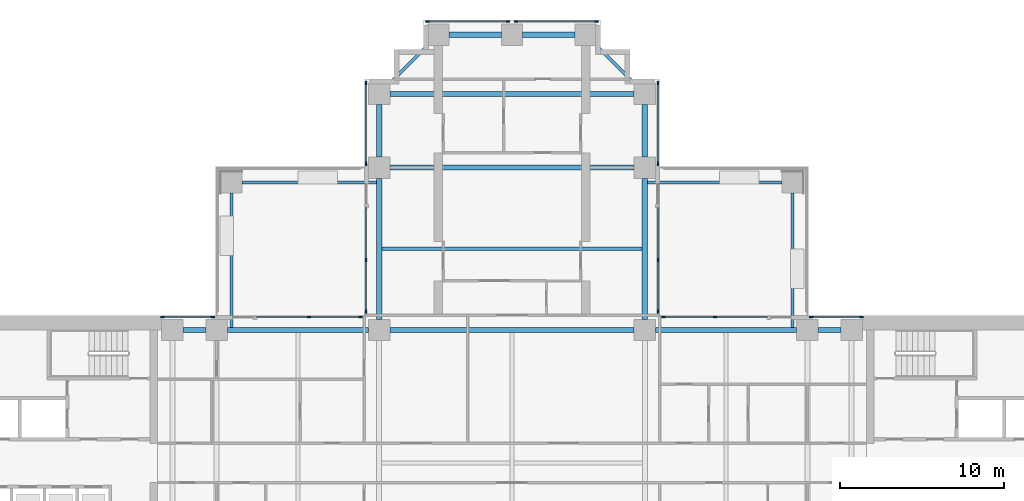
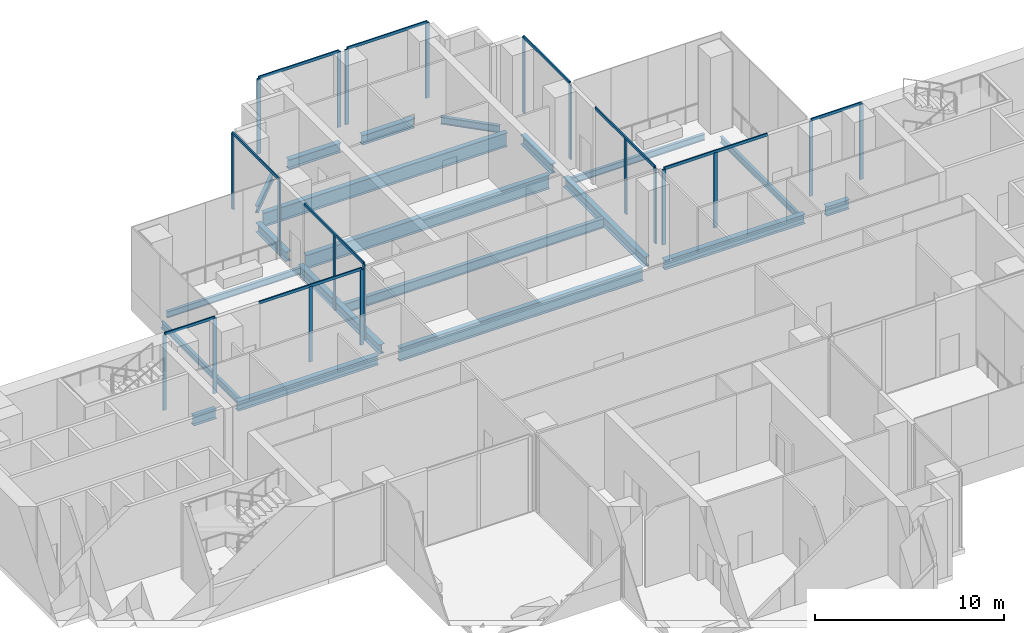
# One storey, part 4 of 17: 30 members, 20 beams, 10 elements without a shape of their own.
"""IFC4 building model written with IfcOpenShell, lengths in metres."""

from ifc_helpers import new_model, si_unit, direction, frame, origin, origin_2d, place, context, subcontext, project, spatial, rectangle, i_section, extrude, material, material_profile, profile_set, type_object, element, aggregate, save


model = new_model("IFC4")

# Units and contexts
model_context = context("Model", 3, precision=1e-05, world=origin(), true_north=direction((0.0, 1.0)))
body_context = subcontext(model_context, "Body", "Model", "MODEL_VIEW")
ifc_project = project(units=[si_unit("LENGTHUNIT", "METRE"), si_unit("AREAUNIT", "SQUARE_METRE"), si_unit("VOLUMEUNIT", "CUBIC_METRE"), si_unit("PLANEANGLEUNIT", "RADIAN"), si_unit("MASSUNIT", "GRAM", prefix="KILO")], contexts=[model_context])

# Site, building, storey
site_placement = place(None, origin())
site = spatial("IfcSite", under=ifc_project, at=site_placement, CompositionType="ELEMENT")
building_placement = place(site_placement, origin())
building = spatial("IfcBuilding", under=site, at=building_placement, Name="Perihelion Cross Residences", CompositionType="ELEMENT")
storey_placement = place(building_placement, frame((0.0, 0.0, 92.5)))
storey = spatial("IfcBuildingStorey", under=building, at=storey_placement, Name="L21", CompositionType="ELEMENT", Elevation=92.5)

# Curtain wall, members
ifc_material_1 = material(Name="Bronze anodised aluminium, tinted glazing", Category="aluminium")
curtain_wall_type = type_object("IfcCurtainWallType", Name="CW3", PredefinedType="NOTDEFINED", material=ifc_material_1)
curtain_wall_1_placement = place(storey_placement, origin())
curtain_wall_1 = element("IfcCurtainWall", 1, at=curtain_wall_1_placement, inside=storey, type_object=curtain_wall_type, Name="Curtain wall CW3 L21 east side north bay 1", PredefinedType="NOTDEFINED")
ifc_material_2 = material(Name="Bronze anodised aluminium", Category="aluminium")
ifc_material_profile_1 = material_profile(ifc_material_2, rectangle(XDim=0.080078125, YDim=0.219970703125, at=origin_2d()), Name="CW3 mullion")
ifc_profile_set_1 = profile_set([ifc_material_profile_1], Name="Bronze anodised aluminium")
member_type_1 = type_object("IfcMemberType", Name="CW3 mullion", PredefinedType="MULLION", material=ifc_profile_set_1)
member_1_placement = place(storey_placement, frame((21.31005859375, 8.89990234375, 0.0), z_axis=(0.0, 0.0, 1.0), x_axis=(0.0, -1.0, 0.0)))
member_1 = element("IfcMember", 2, at=member_1_placement, type_object=member_type_1, Name="CW3 mullion 1", PredefinedType="MULLION", context=body_context, shape_type="SweptSolid", body=[
    extrude(rectangle(XDim=0.080078125, YDim=0.219970703125, at=origin_2d()), origin(), (0.0, 0.0, 1.0), 4.8701171875),
])
member_2_placement = place(storey_placement, frame((18.239990234375, 8.89990234375, 0.0), z_axis=(0.0, 0.0, 1.0), x_axis=(0.0, -1.0, 0.0)))
member_2 = element("IfcMember", 3, at=member_2_placement, type_object=member_type_1, Name="CW3 mullion 2", PredefinedType="MULLION", context=body_context, shape_type="SweptSolid", body=[
    extrude(rectangle(XDim=0.080078125, YDim=0.219970703125, at=origin_2d()), origin(), (0.0, 0.0, 1.0), 4.8701171875),
])

curtain_wall_2_placement = place(storey_placement, origin())
curtain_wall_2 = element("IfcCurtainWall", 4, at=curtain_wall_2_placement, inside=storey, type_object=curtain_wall_type, Name="Curtain wall CW3 L21 east side north bay 2", PredefinedType="NOTDEFINED")
member_3_placement = place(storey_placement, frame((12.375, 8.89990234375, 0.0), z_axis=(0.0, 0.0, 1.0), x_axis=(0.0, -1.0, 0.0)))
member_3 = element("IfcMember", 5, at=member_3_placement, type_object=member_type_1, Name="CW3 mullion 2", PredefinedType="MULLION", context=body_context, shape_type="SweptSolid", body=[
    extrude(rectangle(XDim=0.080078125, YDim=0.219970703125, at=origin_2d()), origin(), (0.0, 0.0, 1.0), 4.8701171875),
])
member_4_placement = place(storey_placement, frame((9.239990234375, 8.89990234375, 0.0), z_axis=(0.0, 0.0, 1.0), x_axis=(0.0, -1.0, 0.0)))
member_4 = element("IfcMember", 6, at=member_4_placement, type_object=member_type_1, Name="CW3 mullion 3", PredefinedType="MULLION", context=body_context, shape_type="SweptSolid", body=[
    extrude(rectangle(XDim=0.080078125, YDim=0.219970703125, at=origin_2d()), origin(), (0.0, 0.0, 1.0), 4.8701171875),
])

curtain_wall_3_placement = place(storey_placement, origin())
curtain_wall_3 = element("IfcCurtainWall", 7, at=curtain_wall_3_placement, inside=storey, type_object=curtain_wall_type, Name="Curtain wall CW3 L21 north side east bay 1", PredefinedType="NOTDEFINED")
member_5_placement = place(storey_placement, frame((8.89990234375, 9.239990234375, 0.0), z_axis=(0.0, 0.0, 1.0), x_axis=(-1.0, 0.0, 0.0)))
member_5 = element("IfcMember", 8, at=member_5_placement, type_object=member_type_1, Name="CW3 mullion 1", PredefinedType="MULLION", context=body_context, shape_type="SweptSolid", body=[
    extrude(rectangle(XDim=0.080078125, YDim=0.219970703125, at=origin_2d()), origin(), (0.0, 0.0, 1.0), 4.8701171875),
])
member_6_placement = place(storey_placement, frame((8.89990234375, 12.375, 0.0), z_axis=(0.0, 0.0, 1.0), x_axis=(-1.0, 0.0, 0.0)))
member_6 = element("IfcMember", 9, at=member_6_placement, type_object=member_type_1, Name="CW3 mullion 2", PredefinedType="MULLION", context=body_context, shape_type="SweptSolid", body=[
    extrude(rectangle(XDim=0.080078125, YDim=0.219970703125, at=origin_2d()), origin(), (0.0, 0.0, 1.0), 4.8701171875),
])

curtain_wall_4_placement = place(storey_placement, origin())
curtain_wall_4 = element("IfcCurtainWall", 10, at=curtain_wall_4_placement, inside=storey, type_object=curtain_wall_type, Name="Curtain wall CW3 L21 north side east bay 2", PredefinedType="NOTDEFINED")
member_7_placement = place(storey_placement, frame((8.89990234375, 18.239990234375, 0.0), z_axis=(0.0, 0.0, 1.0), x_axis=(-1.0, 0.0, 0.0)))
member_7 = element("IfcMember", 11, at=member_7_placement, type_object=member_type_1, Name="CW3 mullion 1", PredefinedType="MULLION", context=body_context, shape_type="SweptSolid", body=[
    extrude(rectangle(XDim=0.080078125, YDim=0.219970703125, at=origin_2d()), origin(), (0.0, 0.0, 1.0), 4.8701171875),
])
member_8_placement = place(storey_placement, frame((8.89990234375, 23.159912109375, 0.0), z_axis=(0.0, 0.0, 1.0), x_axis=(-1.0, 0.0, 0.0)))
member_8 = element("IfcMember", 12, at=member_8_placement, type_object=member_type_1, Name="CW3 mullion 2", PredefinedType="MULLION", context=body_context, shape_type="SweptSolid", body=[
    extrude(rectangle(XDim=0.080078125, YDim=0.219970703125, at=origin_2d()), origin(), (0.0, 0.0, 1.0), 4.8701171875),
])

curtain_wall_5_placement = place(storey_placement, origin())
curtain_wall_5 = element("IfcCurtainWall", 13, at=curtain_wall_5_placement, inside=storey, type_object=curtain_wall_type, Name="Curtain wall CW3 L21 north tip north bay 1", PredefinedType="NOTDEFINED")
member_9_placement = place(storey_placement, frame((5.159912109375, 26.89990234375, 0.0), z_axis=(0.0, 0.0, 1.0), x_axis=(0.0, -1.0, 0.0)))
member_9 = element("IfcMember", 14, at=member_9_placement, type_object=member_type_1, Name="CW3 mullion 1", PredefinedType="MULLION", context=body_context, shape_type="SweptSolid", body=[
    extrude(rectangle(XDim=0.080078125, YDim=0.219970703125, at=origin_2d()), origin(), (0.0, 0.0, 1.0), 4.8701171875),
])
member_10_placement = place(storey_placement, frame((0.239990234375, 26.89990234375, 0.0), z_axis=(0.0, 0.0, 1.0), x_axis=(0.0, -1.0, 0.0)))
member_10 = element("IfcMember", 15, at=member_10_placement, type_object=member_type_1, Name="CW3 mullion 2", PredefinedType="MULLION", context=body_context, shape_type="SweptSolid", body=[
    extrude(rectangle(XDim=0.080078125, YDim=0.219970703125, at=origin_2d()), origin(), (0.0, 0.0, 1.0), 4.8701171875),
])

curtain_wall_6_placement = place(storey_placement, origin())
curtain_wall_6 = element("IfcCurtainWall", 16, at=curtain_wall_6_placement, inside=storey, type_object=curtain_wall_type, Name="Curtain wall CW3 L21 north tip north bay 2", PredefinedType="NOTDEFINED")
member_11_placement = place(storey_placement, frame((-0.239990234375, 26.89990234375, 0.0), z_axis=(0.0, 0.0, 1.0), x_axis=(0.0, -1.0, 0.0)))
member_11 = element("IfcMember", 17, at=member_11_placement, type_object=member_type_1, Name="CW3 mullion 1", PredefinedType="MULLION", context=body_context, shape_type="SweptSolid", body=[
    extrude(rectangle(XDim=0.080078125, YDim=0.219970703125, at=origin_2d()), origin(), (0.0, 0.0, 1.0), 4.8701171875),
])
member_12_placement = place(storey_placement, frame((-5.159912109375, 26.89990234375, 0.0), z_axis=(0.0, 0.0, 1.0), x_axis=(0.0, -1.0, 0.0)))
member_12 = element("IfcMember", 18, at=member_12_placement, type_object=member_type_1, Name="CW3 mullion 2", PredefinedType="MULLION", context=body_context, shape_type="SweptSolid", body=[
    extrude(rectangle(XDim=0.080078125, YDim=0.219970703125, at=origin_2d()), origin(), (0.0, 0.0, 1.0), 4.8701171875),
])

curtain_wall_7_placement = place(storey_placement, origin())
curtain_wall_7 = element("IfcCurtainWall", 19, at=curtain_wall_7_placement, inside=storey, type_object=curtain_wall_type, Name="Curtain wall CW3 L21 north side west bay 1", PredefinedType="NOTDEFINED")
member_13_placement = place(storey_placement, frame((-8.89990234375, 23.159912109375, 0.0), z_axis=(0.0, 0.0, 1.0), x_axis=(1.0, 0.0, 0.0)))
member_13 = element("IfcMember", 20, at=member_13_placement, type_object=member_type_1, Name="CW3 mullion 1", PredefinedType="MULLION", context=body_context, shape_type="SweptSolid", body=[
    extrude(rectangle(XDim=0.080078125, YDim=0.219970703125, at=origin_2d()), origin(), (0.0, 0.0, 1.0), 4.8701171875),
])
member_14_placement = place(storey_placement, frame((-8.89990234375, 18.239990234375, 0.0), z_axis=(0.0, 0.0, 1.0), x_axis=(1.0, 0.0, 0.0)))
member_14 = element("IfcMember", 21, at=member_14_placement, type_object=member_type_1, Name="CW3 mullion 2", PredefinedType="MULLION", context=body_context, shape_type="SweptSolid", body=[
    extrude(rectangle(XDim=0.080078125, YDim=0.219970703125, at=origin_2d()), origin(), (0.0, 0.0, 1.0), 4.8701171875),
])

curtain_wall_8_placement = place(storey_placement, origin())
curtain_wall_8 = element("IfcCurtainWall", 22, at=curtain_wall_8_placement, inside=storey, type_object=curtain_wall_type, Name="Curtain wall CW3 L21 north side west bay 2", PredefinedType="NOTDEFINED")
member_15_placement = place(storey_placement, frame((-8.89990234375, 12.375, 0.0), z_axis=(0.0, 0.0, 1.0), x_axis=(1.0, 0.0, 0.0)))
member_15 = element("IfcMember", 23, at=member_15_placement, type_object=member_type_1, Name="CW3 mullion 2", PredefinedType="MULLION", context=body_context, shape_type="SweptSolid", body=[
    extrude(rectangle(XDim=0.080078125, YDim=0.219970703125, at=origin_2d()), origin(), (0.0, 0.0, 1.0), 4.8701171875),
])
member_16_placement = place(storey_placement, frame((-8.89990234375, 9.239990234375, 0.0), z_axis=(0.0, 0.0, 1.0), x_axis=(1.0, 0.0, 0.0)))
member_16 = element("IfcMember", 24, at=member_16_placement, type_object=member_type_1, Name="CW3 mullion 3", PredefinedType="MULLION", context=body_context, shape_type="SweptSolid", body=[
    extrude(rectangle(XDim=0.080078125, YDim=0.219970703125, at=origin_2d()), origin(), (0.0, 0.0, 1.0), 4.8701171875),
])

curtain_wall_9_placement = place(storey_placement, origin())
curtain_wall_9 = element("IfcCurtainWall", 25, at=curtain_wall_9_placement, inside=storey, type_object=curtain_wall_type, Name="Curtain wall CW3 L21 west side north bay 1", PredefinedType="NOTDEFINED")
member_17_placement = place(storey_placement, frame((-9.239990234375, 8.89990234375, 0.0), z_axis=(0.0, 0.0, 1.0), x_axis=(0.0, -1.0, 0.0)))
member_17 = element("IfcMember", 26, at=member_17_placement, type_object=member_type_1, Name="CW3 mullion 1", PredefinedType="MULLION", context=body_context, shape_type="SweptSolid", body=[
    extrude(rectangle(XDim=0.080078125, YDim=0.219970703125, at=origin_2d()), origin(), (0.0, 0.0, 1.0), 4.8701171875),
])
member_18_placement = place(storey_placement, frame((-12.375, 8.89990234375, 0.0), z_axis=(0.0, 0.0, 1.0), x_axis=(0.0, -1.0, 0.0)))
member_18 = element("IfcMember", 27, at=member_18_placement, type_object=member_type_1, Name="CW3 mullion 2", PredefinedType="MULLION", context=body_context, shape_type="SweptSolid", body=[
    extrude(rectangle(XDim=0.080078125, YDim=0.219970703125, at=origin_2d()), origin(), (0.0, 0.0, 1.0), 4.8701171875),
])

curtain_wall_10_placement = place(storey_placement, origin())
curtain_wall_10 = element("IfcCurtainWall", 28, at=curtain_wall_10_placement, inside=storey, type_object=curtain_wall_type, Name="Curtain wall CW3 L21 west side north bay 2", PredefinedType="NOTDEFINED")
member_19_placement = place(storey_placement, frame((-18.239990234375, 8.89990234375, 0.0), z_axis=(0.0, 0.0, 1.0), x_axis=(0.0, -1.0, 0.0)))
member_19 = element("IfcMember", 29, at=member_19_placement, type_object=member_type_1, Name="CW3 mullion 1", PredefinedType="MULLION", context=body_context, shape_type="SweptSolid", body=[
    extrude(rectangle(XDim=0.080078125, YDim=0.219970703125, at=origin_2d()), origin(), (0.0, 0.0, 1.0), 4.8701171875),
])
member_20_placement = place(storey_placement, frame((-21.31005859375, 8.89990234375, 0.0), z_axis=(0.0, 0.0, 1.0), x_axis=(0.0, -1.0, 0.0)))
member_20 = element("IfcMember", 30, at=member_20_placement, type_object=member_type_1, Name="CW3 mullion 2", PredefinedType="MULLION", context=body_context, shape_type="SweptSolid", body=[
    extrude(rectangle(XDim=0.080078125, YDim=0.219970703125, at=origin_2d()), origin(), (0.0, 0.0, 1.0), 4.8701171875),
])

# Member
ifc_material_3 = material(Name="Bronze anodised aluminium", Category="aluminium")
ifc_material_profile_2 = material_profile(ifc_material_3, rectangle(XDim=0.080078125, YDim=0.179931640625, at=origin_2d()), Name="CW3 transom")
ifc_profile_set_2 = profile_set([ifc_material_profile_2], Name="Bronze anodised aluminium")
member_type_2 = type_object("IfcMemberType", Name="CW3 transom", PredefinedType="USERDEFINED", material=ifc_profile_set_2)
member_21_placement = place(storey_placement, frame((21.31005859375, 8.89990234375, 4.909912109375), z_axis=(-1.0, 0.0, 0.0), x_axis=(0.0, -1.0, 0.0)))
member_21 = element("IfcMember", 31, at=member_21_placement, type_object=member_type_2, Name="CW3 head transom", ObjectType="TRANSOM", PredefinedType="USERDEFINED", context=body_context, shape_type="SweptSolid", body=[
    extrude(rectangle(XDim=0.080078125, YDim=0.179931640625, at=origin_2d()), origin(), (0.0, 0.0, 1.0), 3.070068359375),
])

aggregate(curtain_wall_1, [member_1, member_2, member_21])

member_22_placement = place(storey_placement, frame((15.550048828125, 8.89990234375, 4.909912109375), z_axis=(-1.0, 0.0, 0.0), x_axis=(0.0, -1.0, 0.0)))
member_22 = element("IfcMember", 32, at=member_22_placement, type_object=member_type_2, Name="CW3 head transom", ObjectType="TRANSOM", PredefinedType="USERDEFINED", context=body_context, shape_type="SweptSolid", body=[
    extrude(rectangle(XDim=0.080078125, YDim=0.179931640625, at=origin_2d()), origin(), (0.0, 0.0, 1.0), 6.31005859375),
])

aggregate(curtain_wall_2, [member_3, member_4, member_22])

member_23_placement = place(storey_placement, frame((8.89990234375, 9.239990234375, 4.909912109375), z_axis=(0.0, 1.0, 0.0), x_axis=(-1.0, 0.0, 0.0)))
member_23 = element("IfcMember", 33, at=member_23_placement, type_object=member_type_2, Name="CW3 head transom", ObjectType="TRANSOM", PredefinedType="USERDEFINED", context=body_context, shape_type="SweptSolid", body=[
    extrude(rectangle(XDim=0.080078125, YDim=0.179931640625, at=origin_2d()), origin(), (0.0, 0.0, 1.0), 6.31005859375),
])

aggregate(curtain_wall_3, [member_5, member_6, member_23])

member_24_placement = place(storey_placement, frame((8.89990234375, 18.239990234375, 4.909912109375), z_axis=(0.0, 1.0, 0.0), x_axis=(-1.0, 0.0, 0.0)))
member_24 = element("IfcMember", 34, at=member_24_placement, type_object=member_type_2, Name="CW3 head transom", ObjectType="TRANSOM", PredefinedType="USERDEFINED", context=body_context, shape_type="SweptSolid", body=[
    extrude(rectangle(XDim=0.080078125, YDim=0.179931640625, at=origin_2d()), origin(), (0.0, 0.0, 1.0), 4.919921875),
])

aggregate(curtain_wall_4, [member_7, member_8, member_24])

member_25_placement = place(storey_placement, frame((5.159912109375, 26.89990234375, 4.909912109375), z_axis=(-1.0, 0.0, 0.0), x_axis=(0.0, -1.0, 0.0)))
member_25 = element("IfcMember", 35, at=member_25_placement, type_object=member_type_2, Name="CW3 head transom", ObjectType="TRANSOM", PredefinedType="USERDEFINED", context=body_context, shape_type="SweptSolid", body=[
    extrude(rectangle(XDim=0.080078125, YDim=0.179931640625, at=origin_2d()), origin(), (0.0, 0.0, 1.0), 4.919921875),
])

aggregate(curtain_wall_5, [member_9, member_10, member_25])

member_26_placement = place(storey_placement, frame((-0.239990234375, 26.89990234375, 4.909912109375), z_axis=(-1.0, 0.0, 0.0), x_axis=(0.0, -1.0, 0.0)))
member_26 = element("IfcMember", 36, at=member_26_placement, type_object=member_type_2, Name="CW3 head transom", ObjectType="TRANSOM", PredefinedType="USERDEFINED", context=body_context, shape_type="SweptSolid", body=[
    extrude(rectangle(XDim=0.080078125, YDim=0.179931640625, at=origin_2d()), origin(), (0.0, 0.0, 1.0), 4.919921875),
])

aggregate(curtain_wall_6, [member_11, member_12, member_26])

member_27_placement = place(storey_placement, frame((-8.89990234375, 23.159912109375, 4.909912109375), z_axis=(0.0, -1.0, 0.0), x_axis=(1.0, 0.0, 0.0)))
member_27 = element("IfcMember", 37, at=member_27_placement, type_object=member_type_2, Name="CW3 head transom", ObjectType="TRANSOM", PredefinedType="USERDEFINED", context=body_context, shape_type="SweptSolid", body=[
    extrude(rectangle(XDim=0.080078125, YDim=0.179931640625, at=origin_2d()), origin(), (0.0, 0.0, 1.0), 4.919921875),
])

aggregate(curtain_wall_7, [member_13, member_14, member_27])

member_28_placement = place(storey_placement, frame((-8.89990234375, 15.550048828125, 4.909912109375), z_axis=(0.0, -1.0, 0.0), x_axis=(1.0, 0.0, 0.0)))
member_28 = element("IfcMember", 38, at=member_28_placement, type_object=member_type_2, Name="CW3 head transom", ObjectType="TRANSOM", PredefinedType="USERDEFINED", context=body_context, shape_type="SweptSolid", body=[
    extrude(rectangle(XDim=0.080078125, YDim=0.179931640625, at=origin_2d()), origin(), (0.0, 0.0, 1.0), 6.31005859375),
])

aggregate(curtain_wall_8, [member_15, member_16, member_28])

member_29_placement = place(storey_placement, frame((-9.239990234375, 8.89990234375, 4.909912109375), z_axis=(-1.0, 0.0, 0.0), x_axis=(0.0, -1.0, 0.0)))
member_29 = element("IfcMember", 39, at=member_29_placement, type_object=member_type_2, Name="CW3 head transom", ObjectType="TRANSOM", PredefinedType="USERDEFINED", context=body_context, shape_type="SweptSolid", body=[
    extrude(rectangle(XDim=0.080078125, YDim=0.179931640625, at=origin_2d()), origin(), (0.0, 0.0, 1.0), 6.31005859375),
])

aggregate(curtain_wall_9, [member_17, member_18, member_29])

member_30_placement = place(storey_placement, frame((-18.239990234375, 8.89990234375, 4.909912109375), z_axis=(-1.0, 0.0, 0.0), x_axis=(0.0, -1.0, 0.0)))
member_30 = element("IfcMember", 40, at=member_30_placement, type_object=member_type_2, Name="CW3 head transom", ObjectType="TRANSOM", PredefinedType="USERDEFINED", context=body_context, shape_type="SweptSolid", body=[
    extrude(rectangle(XDim=0.080078125, YDim=0.179931640625, at=origin_2d()), origin(), (0.0, 0.0, 1.0), 3.070068359375),
])

aggregate(curtain_wall_10, [member_19, member_20, member_30])

# Beams
ifc_material_4 = material(Name="Steel S355", Category="steel")
ifc_material_profile_3 = material_profile(ifc_material_4, i_section(OverallWidth=0.177978515625, OverallDepth=0.406005859375, WebThickness=0.0078125, FlangeThickness=0.0126953125, at=origin_2d()), Name="W410x60")
ifc_profile_set_3 = profile_set([ifc_material_profile_3], Name="Steel S355")
beam_type_1 = type_object("IfcBeamType", Name="Core edge beam W410x60", PredefinedType="BEAM", material=ifc_profile_set_3)
for number, where, z_axis, x_axis, name in (
    (41, (17.10009765625, 8.262451171875, -0.5029296875), (0.0, 1.0, 0.0), (-1.0, 0.0, 0.0), "Core edge beam TB2 L21 corner no. 7"),
    (42, (8.262451171875, 17.10009765625, -0.5029296875), (1.0, 0.0, 0.0), (0.0, 1.0, 0.0), "Core edge beam TB2 L21 corner no. 8"),
    (43, (-17.10009765625, 8.262451171875, -0.5029296875), (0.0, 1.0, 0.0), (-1.0, 0.0, 0.0), "Core edge beam TB2 L21 corner no. 3"),
    (44, (-8.262451171875, 17.10009765625, -0.5029296875), (-1.0, 0.0, 0.0), (0.0, -1.0, 0.0), "Core edge beam TB2 L21 corner no. 4"),
):
    element("IfcBeam", number, at=place(storey_placement, frame(where, z_axis=z_axis, x_axis=x_axis)), inside=storey, type_object=beam_type_1, Name=name, PredefinedType="BEAM", context=body_context, shape_type="SweptSolid", body=[
        extrude(i_section(OverallWidth=0.177978515625, OverallDepth=0.406005859375, WebThickness=0.0078125, FlangeThickness=0.0126953125, at=origin_2d()), origin(), (0.0, 0.0, 1.0), 8.1875),
    ])
ifc_material_5 = material(Name="Steel S355", Category="steel")
ifc_material_profile_4 = material_profile(ifc_material_5, i_section(OverallWidth=0.324951171875, OverallDepth=0.616943359375, WebThickness=0.013916015625, FlangeThickness=0.021484375, at=origin_2d()), Name="W610x174")
ifc_profile_set_4 = profile_set([ifc_material_profile_4], Name="Steel S355")
beam_type_2 = type_object("IfcBeamType", Name="Edge beam W610x174", PredefinedType="SPANDREL", material=ifc_profile_set_4)
beam_1_placement = place(storey_placement, frame((20.050048828125, 8.10009765625, -0.6083984375), z_axis=(-1.0, 0.0, 0.0), x_axis=(0.0, -1.0, 0.0)))
element("IfcBeam", 45, at=beam_1_placement, inside=storey, type_object=beam_type_2, Name="Edge beam SB2 L21 no. 14", PredefinedType="SPANDREL", context=body_context, shape_type="SweptSolid", body=[
    extrude(i_section(OverallWidth=0.324951171875, OverallDepth=0.616943359375, WebThickness=0.013916015625, FlangeThickness=0.021484375, at=origin_2d()), origin(), (0.0, 0.0, 1.0), 1.400146484375),
])
for number, where, z_axis, x_axis, name in (
    (46, (17.35009765625, 8.10009765625, -0.6083984375), (-1.0, 0.0, 0.0), (0.0, -1.0, 0.0), "Edge beam SB2 L21 no. 13"),
    (47, (8.10009765625, 8.75, -0.6083984375), (0.0, 1.0, 0.0), (-1.0, 0.0, 0.0), "Edge beam SB2 L21 no. 20"),
):
    element("IfcBeam", number, at=place(storey_placement, frame(where, z_axis=z_axis, x_axis=x_axis)), inside=storey, type_object=beam_type_2, Name=name, PredefinedType="SPANDREL", context=body_context, shape_type="SweptSolid", body=[
        extrude(i_section(OverallWidth=0.324951171875, OverallDepth=0.616943359375, WebThickness=0.013916015625, FlangeThickness=0.021484375, at=origin_2d()), origin(), (0.0, 0.0, 1.0), 8.60009765625),
    ])
for number, where, z_axis, x_axis, name in (
    (48, (8.10009765625, 18.64990234375, -0.6083984375), (0.0, 1.0, 0.0), (-1.0, 0.0, 0.0), "Edge beam SB2 L21 no. 19"),
    (49, (3.85009765625, 26.10009765625, -0.6083984375), (-1.0, 0.0, 0.0), (0.0, -1.0, 0.0), "Edge beam SB2 L21 no. 15"),
    (50, (-0.64990234375, 26.10009765625, -0.6083984375), (-1.0, 0.0, 0.0), (0.0, -1.0, 0.0), "Edge beam SB2 L21 no. 11"),
    (51, (-8.10009765625, 21.85009765625, -0.6083984375), (0.0, -1.0, 0.0), (1.0, 0.0, 0.0), "Edge beam SB2 L21 no. 8"),
):
    element("IfcBeam", number, at=place(storey_placement, frame(where, z_axis=z_axis, x_axis=x_axis)), inside=storey, type_object=beam_type_2, Name=name, PredefinedType="SPANDREL", context=body_context, shape_type="SweptSolid", body=[
        extrude(i_section(OverallWidth=0.324951171875, OverallDepth=0.616943359375, WebThickness=0.013916015625, FlangeThickness=0.021484375, at=origin_2d()), origin(), (0.0, 0.0, 1.0), 3.2001953125),
    ])
for number, where, z_axis, x_axis, name in (
    (52, (-8.10009765625, 17.35009765625, -0.6083984375), (0.0, -1.0, 0.0), (1.0, 0.0, 0.0), "Edge beam SB2 L21 no. 7"),
    (53, (-8.75, 8.10009765625, -0.6083984375), (-1.0, 0.0, 0.0), (0.0, -1.0, 0.0), "Edge beam SB2 L21 no. 9"),
):
    element("IfcBeam", number, at=place(storey_placement, frame(where, z_axis=z_axis, x_axis=x_axis)), inside=storey, type_object=beam_type_2, Name=name, PredefinedType="SPANDREL", context=body_context, shape_type="SweptSolid", body=[
        extrude(i_section(OverallWidth=0.324951171875, OverallDepth=0.616943359375, WebThickness=0.013916015625, FlangeThickness=0.021484375, at=origin_2d()), origin(), (0.0, 0.0, 1.0), 8.60009765625),
    ])
beam_2_placement = place(storey_placement, frame((-18.64990234375, 8.10009765625, -0.6083984375), z_axis=(-1.0, 0.0, 0.0), x_axis=(0.0, -1.0, 0.0)))
element("IfcBeam", 54, at=beam_2_placement, inside=storey, type_object=beam_type_2, Name="Edge beam SB2 L21 no. 2", PredefinedType="SPANDREL", context=body_context, shape_type="SweptSolid", body=[
    extrude(i_section(OverallWidth=0.324951171875, OverallDepth=0.616943359375, WebThickness=0.013916015625, FlangeThickness=0.021484375, at=origin_2d()), origin(), (0.0, 0.0, 1.0), 1.400146484375),
])
ifc_material_6 = material(Name="Steel S355", Category="steel")
ifc_material_profile_5 = material_profile(ifc_material_6, i_section(OverallWidth=0.304931640625, OverallDepth=0.904052734375, WebThickness=0.01513671875, FlangeThickness=0.02001953125, at=origin_2d()), Name="W920x201")
ifc_profile_set_5 = profile_set([ifc_material_profile_5], Name="Steel S355")
beam_type_3 = type_object("IfcBeamType", Name="Floor girder W920x201", PredefinedType="BEAM", material=ifc_profile_set_5)
for number, where, z_axis, x_axis, name in (
    (55, (-7.449951171875, 18.0, -0.751953125), (1.0, 0.0, 0.0), (0.0, 1.0, 0.0), "Girder G2 L21 no. 5"),
    (56, (-7.449951171875, 22.5, -0.751953125), (1.0, 0.0, 0.0), (0.0, 1.0, 0.0), "Girder G2 L21 no. 6"),
):
    element("IfcBeam", number, at=place(storey_placement, frame(where, z_axis=z_axis, x_axis=x_axis)), inside=storey, type_object=beam_type_3, Name=name, PredefinedType="BEAM", context=body_context, shape_type="SweptSolid", body=[
        extrude(i_section(OverallWidth=0.304931640625, OverallDepth=0.904052734375, WebThickness=0.01513671875, FlangeThickness=0.02001953125, at=origin_2d()), origin(), (0.0, 0.0, 1.0), 14.89990234375),
    ])
ifc_material_7 = material(Name="Steel S355", Category="steel")
ifc_material_profile_6 = material_profile(ifc_material_7, i_section(OverallWidth=0.22900390625, OverallDepth=0.612060546875, WebThickness=0.011962890625, FlangeThickness=0.01953125, at=origin_2d()), Name="W610x125")
ifc_profile_set_6 = profile_set([ifc_material_profile_6], Name="Steel S355")
beam_type_4 = type_object("IfcBeamType", Name="Floor joist W610x125", PredefinedType="JOIST", material=ifc_profile_set_6)
beam_3_placement = place(storey_placement, frame((-7.9375, 13.050048828125, -0.60595703125), z_axis=(1.0, 0.0, 0.0), x_axis=(0.0, 1.0, 0.0)))
element("IfcBeam", 57, at=beam_3_placement, inside=storey, type_object=beam_type_4, Name="Joist J3 L21 no. 4", PredefinedType="JOIST", context=body_context, shape_type="SweptSolid", body=[
    extrude(i_section(OverallWidth=0.22900390625, OverallDepth=0.612060546875, WebThickness=0.011962890625, FlangeThickness=0.01953125, at=origin_2d()), origin(), (0.0, 0.0, 1.0), 15.875),
])
ifc_material_8 = material(Name="Steel S355", Category="steel")
ifc_material_profile_7 = material_profile(ifc_material_8, i_section(OverallWidth=0.2919921875, OverallDepth=0.85888671875, WebThickness=0.01708984375, FlangeThickness=0.031005859375, at=origin_2d()), Name="W840x251")
ifc_profile_set_7 = profile_set([ifc_material_profile_7], Name="Steel S355")
beam_type_5 = type_object("IfcBeamType", Name="Hub ring girder W840x251", PredefinedType="BEAM", material=ifc_profile_set_7)
beam_4_placement = place(storey_placement, frame((7.449951171875, 8.10009765625, -0.7294921875), z_axis=(-1.0, 0.0, 0.0), x_axis=(0.0, -1.0, 0.0)))
element("IfcBeam", 58, at=beam_4_placement, inside=storey, type_object=beam_type_5, Name="Hub ring girder RG2 L21 no. 4", PredefinedType="BEAM", context=body_context, shape_type="SweptSolid", body=[
    extrude(i_section(OverallWidth=0.2919921875, OverallDepth=0.85888671875, WebThickness=0.01708984375, FlangeThickness=0.031005859375, at=origin_2d()), origin(), (0.0, 0.0, 1.0), 14.89990234375),
])
ifc_material_9 = material(Name="Steel S355", Category="steel")
ifc_material_profile_8 = material_profile(ifc_material_9, i_section(OverallWidth=0.194091796875, OverallDepth=0.469970703125, WebThickness=0.0126953125, FlangeThickness=0.0205078125, at=origin_2d()), Name="W460x106")
ifc_profile_set_8 = profile_set([ifc_material_profile_8], Name="Steel S355")
beam_type_6 = type_object("IfcBeamType", Name="Serration edge beam W460x106", PredefinedType="BEAM", material=ifc_profile_set_8)
for number, where, z_axis, x_axis, name in (
    (59, (7.449951171875, 23.14990234375, -0.534912109375), (-0.707106781187, 0.707106781187, 0.0), (-0.707106781187, -0.707106781187, 0.0), "Serration edge beam EB2 L21 no. 4"),
    (60, (-5.14990234375, 25.449951171875, -0.534912109375), (-0.707106781187, -0.707106781187, 0.0), (0.707106781187, -0.707106781187, 0.0), "Serration edge beam EB2 L21 no. 1"),
):
    element("IfcBeam", number, at=place(storey_placement, frame(where, z_axis=z_axis, x_axis=x_axis)), inside=storey, type_object=beam_type_6, Name=name, PredefinedType="BEAM", context=body_context, shape_type="SweptSolid", body=[
        extrude(i_section(OverallWidth=0.194091796875, OverallDepth=0.469970703125, WebThickness=0.0126953125, FlangeThickness=0.0205078125, at=origin_2d()), origin(), (0.0, 0.0, 1.0), 3.252685546875),
    ])

save(model, "model.ifc")
